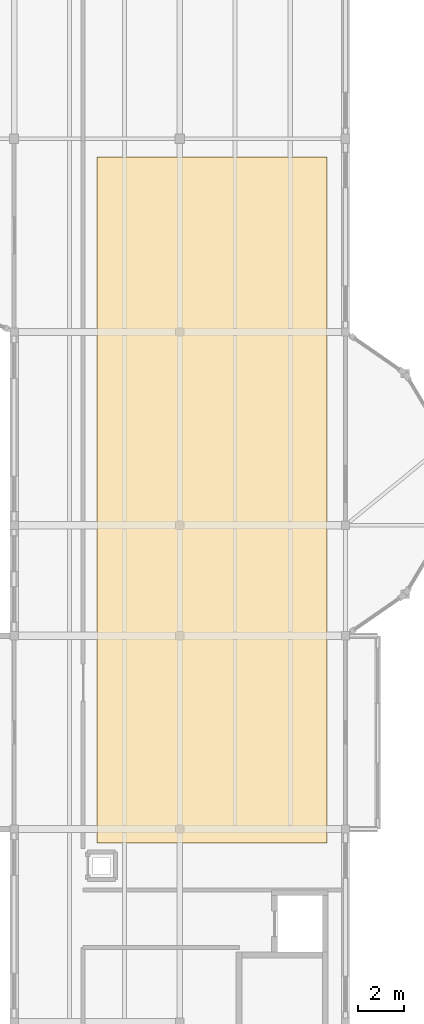
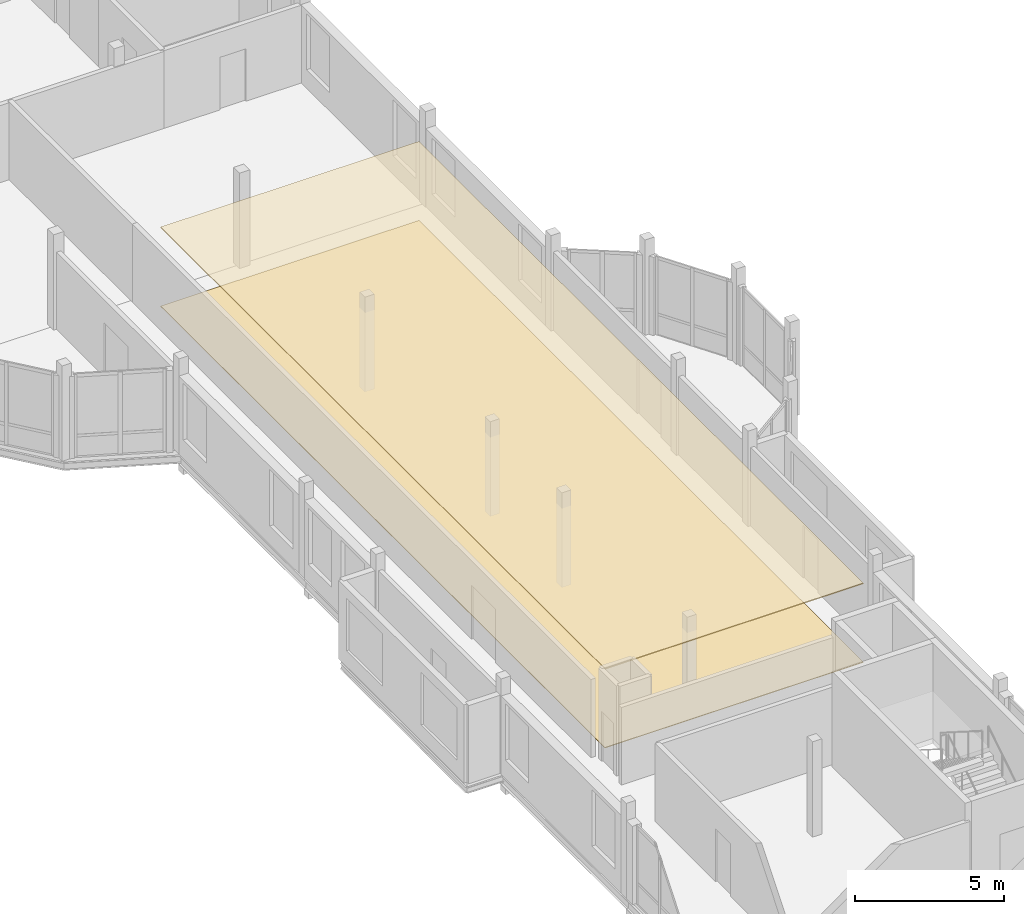
# One storey, part 57 of 57: 2 coverings.
"""IFC4 building model written with IfcOpenShell, lengths in metres."""

from ifc_helpers import new_model, si_unit, direction, frame, origin, place, context, subcontext, project, spatial, polyline, outline, extrude, material, layer, layer_set, type_object, element, save


model = new_model("IFC4")

# Units and contexts
model_context = context("Model", 3, precision=1e-05, world=origin(), true_north=direction((0.0, 1.0)))
body_context = subcontext(model_context, "Body", "Model", "MODEL_VIEW")
ifc_project = project(units=[si_unit("LENGTHUNIT", "METRE"), si_unit("AREAUNIT", "SQUARE_METRE"), si_unit("VOLUMEUNIT", "CUBIC_METRE"), si_unit("PLANEANGLEUNIT", "RADIAN"), si_unit("MASSUNIT", "GRAM", prefix="KILO")], contexts=[model_context])

# Site, building, storey
site_placement = place(None, origin())
site = spatial("IfcSite", under=ifc_project, at=site_placement, CompositionType="ELEMENT")
building_placement = place(site_placement, origin())
building = spatial("IfcBuilding", under=site, at=building_placement, Name="Kahlenmark Community Centre", CompositionType="ELEMENT")
storey_placement = place(building_placement, frame((0.0, 0.0, 13.800048828125)))
storey = spatial("IfcBuildingStorey", under=building, at=storey_placement, Name="L03", CompositionType="ELEMENT", Elevation=13.800048828125)

# Coverings
ifc_material_1 = material(Name="Perforated birch acoustic ceiling panel")
ifc_layer_1 = layer(ifc_material_1, 0.0400390625)
ifc_layer_set_1 = layer_set([ifc_layer_1], Name="Perforated birch acoustic ceiling panel")
covering_type_1 = type_object("IfcCoveringType", Name="CVT-CEIL-ACOUST", PredefinedType="CEILING", material=ifc_layer_set_1)
covering_1_placement = place(storey_placement, frame((0.0, 0.0, 3.219970703125)))
element("IfcCovering", 1, at=covering_1_placement, inside=storey, type_object=covering_type_1, Name="Acoustic birch ceiling 07", PredefinedType="CEILING", context=body_context, shape_type="SweptSolid", body=[
    extrude(outline(polyline([(76.0, 67.0), (86.0, 67.0), (86.0, 96.800048828125), (76.0, 96.800048828125), (76.0, 67.0)])), origin(), (0.0, 0.0, 1.0), 0.0400390625),
])
ifc_material_2 = material(Name="Oiled European oak parquet flooring")
ifc_layer_2 = layer(ifc_material_2, 0.02490234375)
ifc_layer_set_2 = layer_set([ifc_layer_2], Name="Oiled European oak parquet flooring")
covering_type_2 = type_object("IfcCoveringType", Name="CVT-FLR-OAK", PredefinedType="FLOORING", material=ifc_layer_set_2)
covering_2_placement = place(storey_placement, origin())
element("IfcCovering", 2, at=covering_2_placement, inside=storey, type_object=covering_type_2, Name="European oak parquet flooring 06", PredefinedType="FLOORING", context=body_context, shape_type="SweptSolid", body=[
    extrude(outline(polyline([(76.0, 67.0), (86.0, 67.0), (86.0, 96.800048828125), (76.0, 96.800048828125), (76.0, 67.0)])), origin(), (0.0, 0.0, 1.0), 0.02490234375),
])

save(model, "model.ifc")
